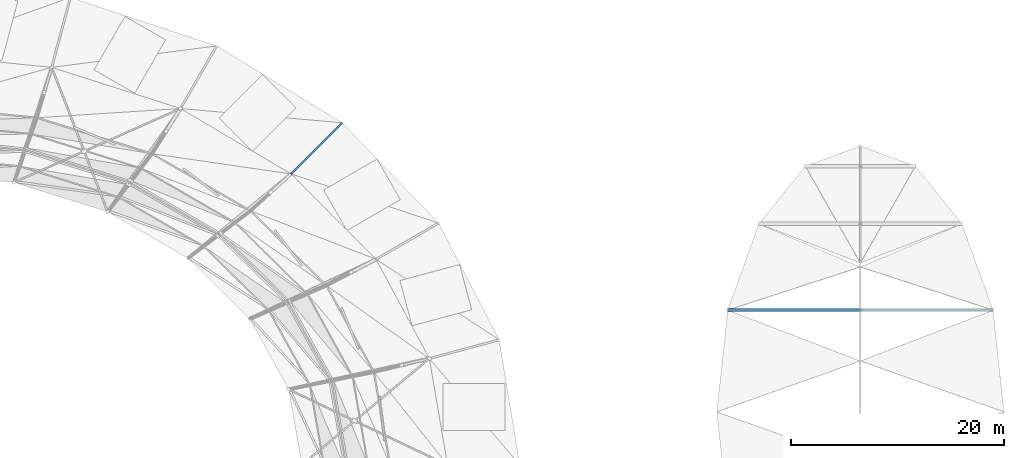
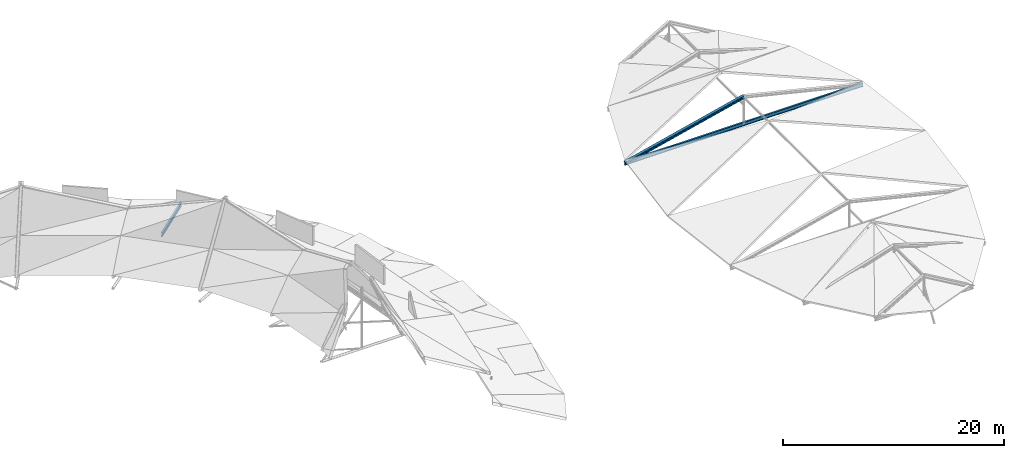
# One storey, part 23 of 36: 2 beams, 1 member.
"""IFC4 building model written with IfcOpenShell, lengths in metres."""

from ifc_helpers import new_model, si_unit, direction, frame, origin, origin_2d, place, context, subcontext, project, spatial, i_section, extrude, material, material_profile, profile_set, type_object, element, save


model = new_model("IFC4")

# Units and contexts
model_context = context("Model", 3, precision=1e-05, world=origin(), true_north=direction((0.0, 1.0)))
body_context = subcontext(model_context, "Body", "Model", "MODEL_VIEW")
ifc_project = project(units=[si_unit("LENGTHUNIT", "METRE"), si_unit("AREAUNIT", "SQUARE_METRE"), si_unit("VOLUMEUNIT", "CUBIC_METRE"), si_unit("PLANEANGLEUNIT", "RADIAN"), si_unit("MASSUNIT", "GRAM", prefix="KILO")], contexts=[model_context])

# Site, building, storey
site_placement = place(None, origin())
site = spatial("IfcSite", under=ifc_project, at=site_placement, CompositionType="ELEMENT")
building_placement = place(site_placement, origin())
building = spatial("IfcBuilding", under=site, at=building_placement, Name="Kildeholm Park Wholesale Market", CompositionType="ELEMENT")
storey_placement = place(building_placement, frame((0.0, 0.0, 17.39990234375)))
storey = spatial("IfcBuildingStorey", under=building, at=storey_placement, Name="Roof", CompositionType="ELEMENT", Elevation=17.39990234375)

# Beams
ifc_material = material(Name="Steel S355", Category="steel")
ifc_material_profile_1 = material_profile(ifc_material, i_section(OverallWidth=0.179931640625, OverallDepth=0.39990234375, WebThickness=0.008544921875, FlangeThickness=0.013427734375, FilletRadius=0.02099609375, at=origin_2d()), Name="IPE 400")
ifc_profile_set_1 = profile_set([ifc_material_profile_1], Name="Steel S355")
beam_type = type_object("IfcBeamType", Name="Beam B-P01 IPE 400", PredefinedType="BEAM", material=ifc_profile_set_1)
beam_1_placement = place(storey_placement, frame((139.304931640625, 121.673095703125, -8.026611328125), z_axis=(-0.697189304401, -0.6972247073, 0.166747657733), x_axis=(0.707124733755, -0.707088828163, 0.0)))
element("IfcBeam", 1, at=beam_1_placement, inside=storey, type_object=beam_type, Name="Beam BM-V1-RF-S1-03 BM-0237", PredefinedType="BEAM", context=body_context, shape_type="SweptSolid", body=[
    extrude(i_section(OverallWidth=0.179931640625, OverallDepth=0.39990234375, WebThickness=0.008544921875, FlangeThickness=0.013427734375, FilletRadius=0.02099609375, at=origin_2d()), origin(), (0.0, 0.0, 1.0), 6.89599609375),
])
beam_2_placement = place(storey_placement, frame((200.471923828125, 104.06689453125, -5.559814453125), z_axis=(-1.0, 0.0, 0.0), x_axis=(0.0, -1.0, 0.0)))
element("IfcBeam", 2, at=beam_2_placement, inside=storey, type_object=beam_type, Name="Beam BM-V2-TIE-01 BM-0471", PredefinedType="BEAM", context=body_context, shape_type="SweptSolid", body=[
    extrude(i_section(OverallWidth=0.179931640625, OverallDepth=0.39990234375, WebThickness=0.008544921875, FlangeThickness=0.013427734375, FilletRadius=0.02099609375, at=origin_2d()), origin(), (0.0, 0.0, 1.0), 24.94384765625),
])

# Member
ifc_material_profile_2 = material_profile(ifc_material, i_section(OverallWidth=0.300048828125, OverallDepth=0.300048828125, WebThickness=0.010986328125, FlangeThickness=0.01904296875, FilletRadius=0.027099609375, at=origin_2d()), Name="HEB 300")
ifc_profile_set_2 = profile_set([ifc_material_profile_2], Name="Steel S355")
member_type = type_object("IfcMemberType", Name="Member TC-03 HEB 300", PredefinedType="CHORD", material=ifc_profile_set_2)
member_placement = place(storey_placement, frame((188.0, 104.06689453125, -2.539794921875), z_axis=(-0.971912114897, 0.0, -0.235344090463), x_axis=(0.0, -1.0, 0.0)))
element("IfcMember", 3, at=member_placement, inside=storey, type_object=member_type, Name="Member TR-V2-TC-01R MEM-0308", PredefinedType="CHORD", context=body_context, shape_type="SweptSolid", body=[
    extrude(i_section(OverallWidth=0.300048828125, OverallDepth=0.300048828125, WebThickness=0.010986328125, FlangeThickness=0.01904296875, FilletRadius=0.027099609375, at=origin_2d()), origin(), (0.0, 0.0, 1.0), 12.832275390625),
])

save(model, "model.ifc")
